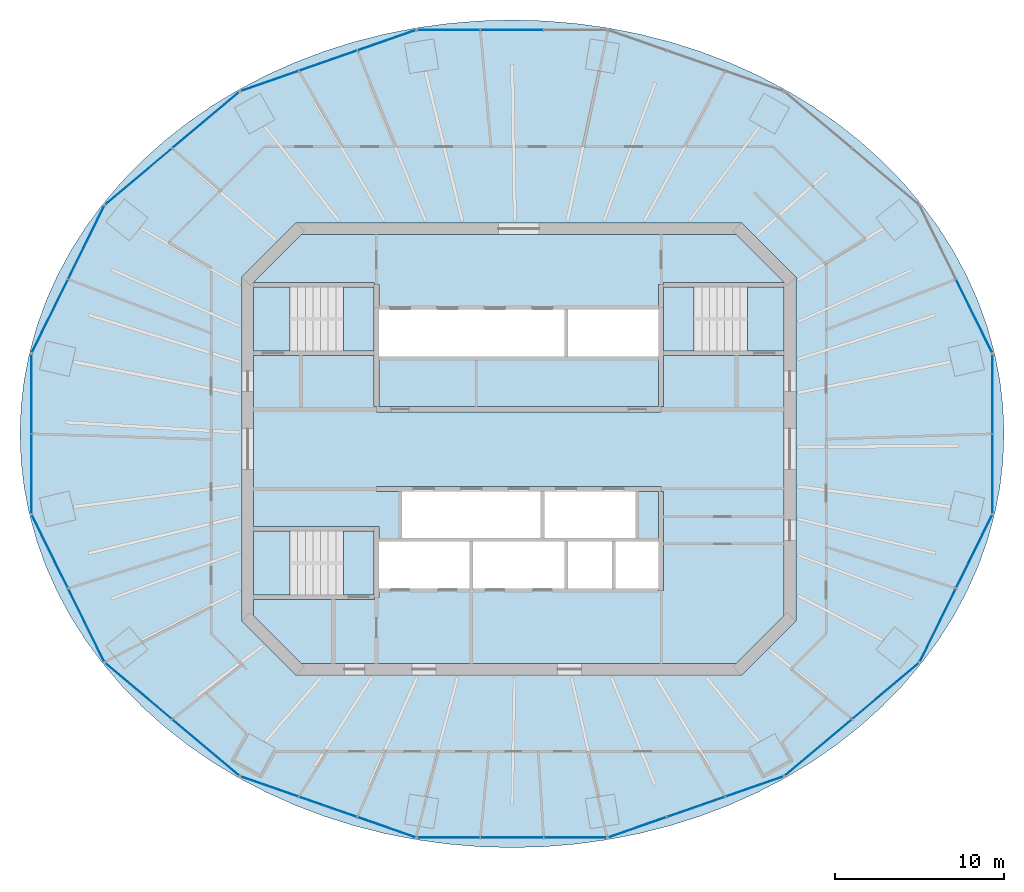
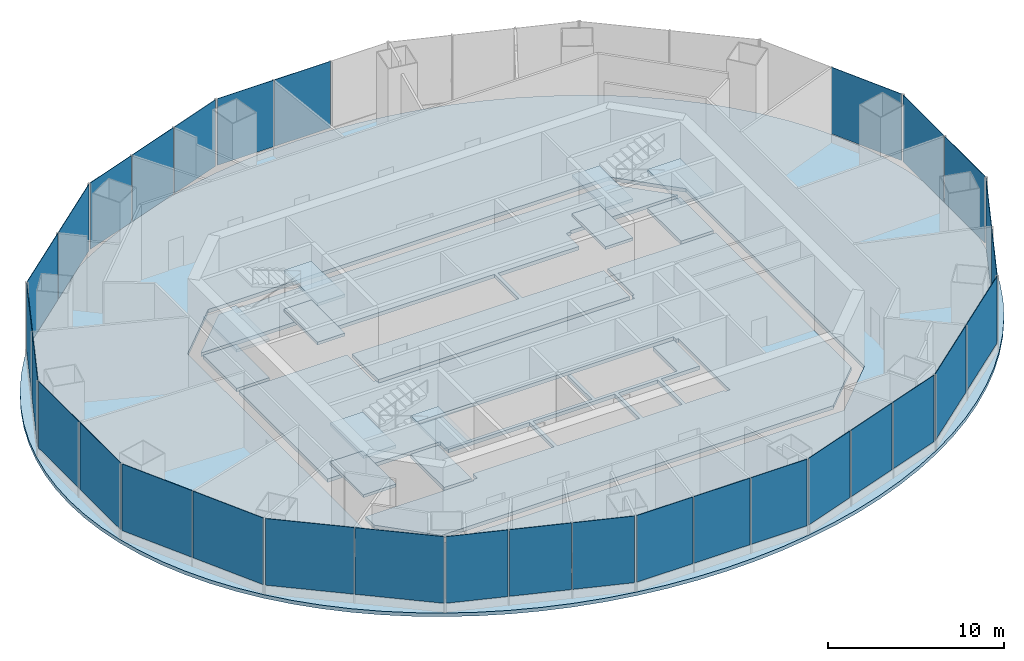
# One storey, part 7 of 12: 31 plates, 15 slabs, 17 elements without a shape of their own.
"""IFC4 building model written with IfcOpenShell, lengths in metres."""

from ifc_helpers import new_model, si_unit, direction, frame, origin, origin_2d, place, context, subcontext, project, spatial, polyline, rectangle, outline, extrude, material, layer, layer_set, type_object, element, aggregate, save


model = new_model("IFC4")

# Units and contexts
model_context = context("Model", 3, precision=1e-05, world=origin(), true_north=direction((0.0, 1.0)))
body_context = subcontext(model_context, "Body", "Model", "MODEL_VIEW")
ifc_project = project(units=[si_unit("LENGTHUNIT", "METRE"), si_unit("AREAUNIT", "SQUARE_METRE"), si_unit("VOLUMEUNIT", "CUBIC_METRE"), si_unit("PLANEANGLEUNIT", "RADIAN"), si_unit("MASSUNIT", "GRAM", prefix="KILO")], contexts=[model_context])

# Site, building, storey
site_placement = place(None, origin())
site = spatial("IfcSite", under=ifc_project, at=site_placement, CompositionType="ELEMENT")
building_placement = place(site_placement, origin())
building = spatial("IfcBuilding", under=site, at=building_placement, Name="Marenthal Gate Tower", CompositionType="ELEMENT")
storey_placement = place(building_placement, frame((0.0, 0.0, 279.10009765625)))
storey = spatial("IfcBuildingStorey", under=building, at=storey_placement, Name="L62", CompositionType="ELEMENT", Elevation=279.10009765625)

# Slabs
ifc_material_1 = material(Name="Concrete 50 MPa", Category="concrete")
ifc_layer_1 = layer(ifc_material_1, 0.25)
ifc_layer_set_1 = layer_set([ifc_layer_1], Name="Core floor slab 250")
slab_type_1 = type_object("IfcSlabType", Name="Core floor slab 250", PredefinedType="FLOOR", material=ifc_layer_set_1)
slab_1_placement = place(storey_placement, frame((0.0, 0.0, -0.25)))
element("IfcSlab", 1, at=slab_1_placement, inside=storey, type_object=slab_type_1, Name="Core floor L62", PredefinedType="FLOOR", context=body_context, shape_type="SweptSolid", body=[
    extrude(outline(polyline([(12.85498046875, -12.64990234375), (-12.85498046875, -12.64990234375), (-15.64990234375, -9.85498046875), (-15.64990234375, -8.875), (-8.550048828125, -8.875), (-8.550048828125, -8.75), (-8.25, -8.75), (-8.25, -8.239990234375), (-5.60009765625, -8.239990234375), (-2.909912109375, -8.239990234375), (-2.909912109375, -5.4599609375), (-5.60009765625, -5.4599609375), (-8.25, -5.4599609375), (-8.25, -4.574951171875), (-8.550048828125, -4.574951171875), (-15.64990234375, -4.574951171875), (-15.64990234375, 5.52490234375), (-8.550048828125, 5.52490234375), (-8.550048828125, 2.5), (-8.39990234375, 2.5), (-8.39990234375, 2.199951171875), (8.39990234375, 2.199951171875), (8.39990234375, 2.5), (8.550048828125, 2.5), (8.550048828125, 5.52490234375), (15.64990234375, 5.52490234375), (15.64990234375, -9.85498046875), (12.85498046875, -12.64990234375)]), holes=[polyline([(2.68994140625, -8.239990234375), (2.68994140625, -5.4599609375), (0.0, -5.4599609375), (-2.68994140625, -5.4599609375), (-2.68994140625, -8.239990234375), (0.0, -8.239990234375), (2.68994140625, -8.239990234375)]), polyline([(1.2900390625, -2.5), (1.510009765625, -2.5), (1.510009765625, -5.239990234375), (4.199951171875, -5.239990234375), (6.889892578125, -5.239990234375), (6.889892578125, -2.5), (8.25, -2.5), (8.25, -5.4599609375), (5.7099609375, -5.4599609375), (5.7099609375, -8.239990234375), (8.25, -8.239990234375), (8.25, -8.35009765625), (8.550048828125, -8.35009765625), (8.550048828125, -2.5), (8.39990234375, -2.5), (8.39990234375, -2.199951171875), (-8.39990234375, -2.199951171875), (-8.39990234375, -2.5), (-6.889892578125, -2.5), (-6.889892578125, -5.239990234375), (-4.199951171875, -5.239990234375), (-1.39990234375, -5.239990234375), (1.2900390625, -5.239990234375), (1.2900390625, -2.5)]), polyline([(5.489990234375, -5.4599609375), (2.909912109375, -5.4599609375), (2.909912109375, -8.239990234375), (5.489990234375, -8.239990234375), (5.489990234375, -5.4599609375)])]), origin(), (0.0, 0.0, 1.0), 0.25),
])
slab_2_placement = place(storey_placement, frame((0.0, 0.0, -0.25)))
element("IfcSlab", 2, at=slab_2_placement, inside=storey, type_object=slab_type_1, Name="Core floor L62", PredefinedType="FLOOR", context=body_context, shape_type="SweptSolid", body=[
    extrude(outline(polyline([(15.64990234375, 5.77490234375), (13.5, 5.77490234375), (13.5, 9.574951171875), (15.64990234375, 9.574951171875), (15.64990234375, 5.77490234375)])), origin(), (0.0, 0.0, 1.0), 0.25),
])
slab_3_placement = place(storey_placement, frame((0.0, 0.0, -0.25)))
element("IfcSlab", 3, at=slab_3_placement, inside=storey, type_object=slab_type_1, Name="Core floor L62", PredefinedType="FLOOR", context=body_context, shape_type="SweptSolid", body=[
    extrude(outline(polyline([(15.64990234375, 9.824951171875), (8.550048828125, 9.824951171875), (8.550048828125, 9.699951171875), (8.25, 9.699951171875), (8.25, 8.35009765625), (8.25, 8.239990234375), (5.60009765625, 8.239990234375), (2.909912109375, 8.239990234375), (2.909912109375, 5.4599609375), (5.60009765625, 5.4599609375), (8.25, 5.4599609375), (8.25, 2.5), (-8.25, 2.5), (-8.25, 5.4599609375), (-5.60009765625, 5.4599609375), (-2.800048828125, 5.4599609375), (0.0, 5.4599609375), (2.68994140625, 5.4599609375), (2.68994140625, 8.239990234375), (0.0, 8.239990234375), (-2.800048828125, 8.239990234375), (-5.60009765625, 8.239990234375), (-8.25, 8.239990234375), (-8.25, 8.35009765625), (-8.25, 9.699951171875), (-8.550048828125, 9.699951171875), (-8.550048828125, 9.824951171875), (-15.64990234375, 9.824951171875), (-15.64990234375, 9.85498046875), (-12.85498046875, 12.64990234375), (12.85498046875, 12.64990234375), (15.64990234375, 9.85498046875), (15.64990234375, 9.824951171875)])), origin(), (0.0, 0.0, 1.0), 0.25),
])
slab_4_placement = place(storey_placement, frame((0.0, 0.0, -0.25)))
element("IfcSlab", 4, at=slab_4_placement, inside=storey, type_object=slab_type_1, Name="Core floor L62", PredefinedType="FLOOR", context=body_context, shape_type="SweptSolid", body=[
    extrude(outline(polyline([(-15.64990234375, 9.574951171875), (-13.5, 9.574951171875), (-13.5, 5.77490234375), (-15.64990234375, 5.77490234375), (-15.64990234375, 9.574951171875)])), origin(), (0.0, 0.0, 1.0), 0.25),
])
slab_5_placement = place(storey_placement, frame((0.0, 0.0, -0.25)))
element("IfcSlab", 5, at=slab_5_placement, inside=storey, type_object=slab_type_1, Name="Core floor L62", PredefinedType="FLOOR", context=body_context, shape_type="SweptSolid", body=[
    extrude(outline(polyline([(-8.550048828125, -8.625), (-10.35009765625, -8.625), (-10.35009765625, -4.824951171875), (-8.550048828125, -4.824951171875), (-8.550048828125, -8.625)])), origin(), (0.0, 0.0, 1.0), 0.25),
])

# Curtain wall, plate
ifc_material_2 = material(Name="Aluminium and glass", Category="aluminium")
curtain_wall_type = type_object("IfcCurtainWallType", Name="Curtain wall sky lobby", PredefinedType="NOTDEFINED", material=ifc_material_2)
curtain_wall_1_placement = place(storey_placement, origin())
curtain_wall_1 = element("IfcCurtainWall", 6, at=curtain_wall_1_placement, inside=storey, type_object=curtain_wall_type, Name="Curtain wall L62 bay 1", PredefinedType="NOTDEFINED")
ifc_material_3 = material(Name="Glass, laminated insulating unit", Category="glass")
ifc_layer_2 = layer(ifc_material_3, 0.033935546875)
ifc_layer_set_2 = layer_set([ifc_layer_2], Name="Glass panel 34 sky lobby")
plate_type = type_object("IfcPlateType", Name="Glass panel 34 sky lobby", PredefinedType="CURTAIN_PANEL", material=ifc_layer_set_2)
plate_1_placement = place(storey_placement, frame((26.876220703125, 7.844970703125, 0.599853515625), z_axis=(0.0, 0.0, 1.0), x_axis=(-0.442091093871, 0.89697015821, 0.0)))
plate_1 = element("IfcPlate", 7, at=plate_1_placement, type_object=plate_type, Name="Glass panel L62 bay 1.1", PredefinedType="CURTAIN_PANEL", context=body_context, shape_type="SweptSolid", body=[
    extrude(rectangle(XDim=4.783447265625, YDim=0.033935546875, at=origin_2d()), origin(), (0.0, 0.0, 1.0), 4.6201171875),
])
aggregate(curtain_wall_1, [plate_1])

# Curtain wall, plates
curtain_wall_2_placement = place(storey_placement, origin())
curtain_wall_2 = element("IfcCurtainWall", 8, at=curtain_wall_2_placement, inside=storey, type_object=curtain_wall_type, Name="Curtain wall L62 bay 4", PredefinedType="NOTDEFINED")
plate_2_placement = place(storey_placement, frame((-0.39990234375, 24.736083984375, 0.599853515625), z_axis=(0.0, 0.0, 1.0), x_axis=(-1.0, 0.0, 0.0)))
plate_2 = element("IfcPlate", 9, at=plate_2_placement, type_object=plate_type, Name="Glass panel L62 bay 4.2", PredefinedType="CURTAIN_PANEL", context=body_context, shape_type="SweptSolid", body=[
    extrude(rectangle(XDim=3.6708984375, YDim=0.033935546875, at=origin_2d()), origin(), (0.0, 0.0, 1.0), 4.6201171875),
])
plate_3_placement = place(storey_placement, frame((-4.14111328125, 24.736083984375, 0.599853515625), z_axis=(0.0, 0.0, 1.0), x_axis=(-1.0, 0.0, 0.0)))
plate_3 = element("IfcPlate", 10, at=plate_3_placement, type_object=plate_type, Name="Glass panel L62 bay 4.3", PredefinedType="CURTAIN_PANEL", context=body_context, shape_type="SweptSolid", body=[
    extrude(rectangle(XDim=3.671142578125, YDim=0.033935546875, at=origin_2d()), origin(), (0.0, 0.0, 1.0), 4.6201171875),
])
aggregate(curtain_wall_2, [plate_2, plate_3])

curtain_wall_3_placement = place(storey_placement, origin())
curtain_wall_3 = element("IfcCurtainWall", 11, at=curtain_wall_3_placement, inside=storey, type_object=curtain_wall_type, Name="Curtain wall L62 bay 5", PredefinedType="NOTDEFINED")
plate_4_placement = place(storey_placement, frame((-7.7978515625, 24.12451171875, 0.599853515625), z_axis=(0.0, 0.0, 1.0), x_axis=(-0.944414634469, -0.328756746245, 0.0)))
plate_4 = element("IfcPlate", 12, at=plate_4_placement, type_object=plate_type, Name="Glass panel L62 bay 5.1", PredefinedType="CURTAIN_PANEL", context=body_context, shape_type="SweptSolid", body=[
    extrude(rectangle(XDim=3.58935546875, YDim=0.033935546875, at=origin_2d()), origin(), (0.0, 0.0, 1.0), 4.6201171875),
])
plate_5_placement = place(storey_placement, frame((-11.253662109375, 22.921630859375, 0.599853515625), z_axis=(0.0, 0.0, 1.0), x_axis=(-0.944414634469, -0.328756746245, 0.0)))
plate_5 = element("IfcPlate", 13, at=plate_5_placement, type_object=plate_type, Name="Glass panel L62 bay 5.2", PredefinedType="CURTAIN_PANEL", context=body_context, shape_type="SweptSolid", body=[
    extrude(rectangle(XDim=3.58935546875, YDim=0.033935546875, at=origin_2d()), origin(), (0.0, 0.0, 1.0), 4.6201171875),
])
plate_6_placement = place(storey_placement, frame((-14.709716796875, 21.718505859375, 0.599853515625), z_axis=(0.0, 0.0, 1.0), x_axis=(-0.944414634469, -0.328756746245, 0.0)))
plate_6 = element("IfcPlate", 14, at=plate_6_placement, type_object=plate_type, Name="Glass panel L62 bay 5.3", PredefinedType="CURTAIN_PANEL", context=body_context, shape_type="SweptSolid", body=[
    extrude(rectangle(XDim=3.58935546875, YDim=0.033935546875, at=origin_2d()), origin(), (0.0, 0.0, 1.0), 4.6201171875),
])
aggregate(curtain_wall_3, [plate_4, plate_5, plate_6])

curtain_wall_4_placement = place(storey_placement, origin())
curtain_wall_4 = element("IfcCurtainWall", 15, at=curtain_wall_4_placement, inside=storey, type_object=curtain_wall_type, Name="Curtain wall L62 bay 6", PredefinedType="NOTDEFINED")
plate_7_placement = place(storey_placement, frame((-18.47216796875, 19.421142578125, 0.599853515625), z_axis=(0.0, 0.0, 1.0), x_axis=(-0.76554681722, -0.643380191367, 0.0)))
plate_7 = element("IfcPlate", 16, at=plate_7_placement, type_object=plate_type, Name="Glass panel L62 bay 6.1", PredefinedType="CURTAIN_PANEL", context=body_context, shape_type="SweptSolid", body=[
    extrude(rectangle(XDim=5.11083984375, YDim=0.033935546875, at=origin_2d()), origin(), (0.0, 0.0, 1.0), 4.6201171875),
])
plate_8_placement = place(storey_placement, frame((-22.438232421875, 16.087890625, 0.599853515625), z_axis=(0.0, 0.0, 1.0), x_axis=(-0.76554681722, -0.643380191367, 0.0)))
plate_8 = element("IfcPlate", 17, at=plate_8_placement, type_object=plate_type, Name="Glass panel L62 bay 6.2", PredefinedType="CURTAIN_PANEL", context=body_context, shape_type="SweptSolid", body=[
    extrude(rectangle(XDim=5.11083984375, YDim=0.033935546875, at=origin_2d()), origin(), (0.0, 0.0, 1.0), 4.6201171875),
])
aggregate(curtain_wall_4, [plate_7, plate_8])

curtain_wall_5_placement = place(storey_placement, origin())
curtain_wall_5 = element("IfcCurtainWall", 18, at=curtain_wall_5_placement, inside=storey, type_object=curtain_wall_type, Name="Curtain wall L62 bay 7", PredefinedType="NOTDEFINED")
plate_9_placement = place(storey_placement, frame((-25.530517578125, 12.198486328125, 0.599853515625), z_axis=(0.0, 0.0, 1.0), x_axis=(-0.442091093871, -0.89697015821, 0.0)))
plate_9 = element("IfcPlate", 19, at=plate_9_placement, type_object=plate_type, Name="Glass panel L62 bay 7.1", PredefinedType="CURTAIN_PANEL", context=body_context, shape_type="SweptSolid", body=[
    extrude(rectangle(XDim=4.783447265625, YDim=0.033935546875, at=origin_2d()), origin(), (0.0, 0.0, 1.0), 4.6201171875),
])
plate_10_placement = place(storey_placement, frame((-27.67626953125, 7.844970703125, 0.599853515625), z_axis=(0.0, 0.0, 1.0), x_axis=(-0.442091093871, -0.89697015821, 0.0)))
plate_10 = element("IfcPlate", 20, at=plate_10_placement, type_object=plate_type, Name="Glass panel L62 bay 7.2", PredefinedType="CURTAIN_PANEL", context=body_context, shape_type="SweptSolid", body=[
    extrude(rectangle(XDim=4.783447265625, YDim=0.033935546875, at=origin_2d()), origin(), (0.0, 0.0, 1.0), 4.6201171875),
])
aggregate(curtain_wall_5, [plate_9, plate_10])

curtain_wall_6_placement = place(storey_placement, origin())
curtain_wall_6 = element("IfcCurtainWall", 21, at=curtain_wall_6_placement, inside=storey, type_object=curtain_wall_type, Name="Curtain wall L62 bay 8", PredefinedType="NOTDEFINED")
plate_11_placement = place(storey_placement, frame((-28.76220703125, 3.255615234375, 0.599853515625), z_axis=(0.0, 0.0, 1.0), x_axis=(0.0, -1.0, 0.0)))
plate_11 = element("IfcPlate", 22, at=plate_11_placement, type_object=plate_type, Name="Glass panel L62 bay 8.1", PredefinedType="CURTAIN_PANEL", context=body_context, shape_type="SweptSolid", body=[
    extrude(rectangle(XDim=4.641357421875, YDim=0.033935546875, at=origin_2d()), origin(), (0.0, 0.0, 1.0), 4.6201171875),
])
plate_12_placement = place(storey_placement, frame((-28.76220703125, -1.45556640625, 0.599853515625), z_axis=(0.0, 0.0, 1.0), x_axis=(0.0, -1.0, 0.0)))
plate_12 = element("IfcPlate", 23, at=plate_12_placement, type_object=plate_type, Name="Glass panel L62 bay 8.2", PredefinedType="CURTAIN_PANEL", context=body_context, shape_type="SweptSolid", body=[
    extrude(rectangle(XDim=4.641357421875, YDim=0.033935546875, at=origin_2d()), origin(), (0.0, 0.0, 1.0), 4.6201171875),
])
aggregate(curtain_wall_6, [plate_11, plate_12])

curtain_wall_7_placement = place(storey_placement, origin())
curtain_wall_7 = element("IfcCurtainWall", 24, at=curtain_wall_7_placement, inside=storey, type_object=curtain_wall_type, Name="Curtain wall L62 bay 9", PredefinedType="NOTDEFINED")
plate_13_placement = place(storey_placement, frame((-27.67626953125, -6.044921875, 0.599853515625), z_axis=(0.0, 0.0, 1.0), x_axis=(0.442091093871, -0.89697015821, 0.0)))
plate_13 = element("IfcPlate", 25, at=plate_13_placement, type_object=plate_type, Name="Glass panel L62 bay 9.1", PredefinedType="CURTAIN_PANEL", context=body_context, shape_type="SweptSolid", body=[
    extrude(rectangle(XDim=4.783447265625, YDim=0.033935546875, at=origin_2d()), origin(), (0.0, 0.0, 1.0), 4.6201171875),
])
plate_14_placement = place(storey_placement, frame((-25.530517578125, -10.3984375, 0.599853515625), z_axis=(0.0, 0.0, 1.0), x_axis=(0.442091093871, -0.89697015821, 0.0)))
plate_14 = element("IfcPlate", 26, at=plate_14_placement, type_object=plate_type, Name="Glass panel L62 bay 9.2", PredefinedType="CURTAIN_PANEL", context=body_context, shape_type="SweptSolid", body=[
    extrude(rectangle(XDim=4.783447265625, YDim=0.033935546875, at=origin_2d()), origin(), (0.0, 0.0, 1.0), 4.6201171875),
])
aggregate(curtain_wall_7, [plate_13, plate_14])

curtain_wall_8_placement = place(storey_placement, origin())
curtain_wall_8 = element("IfcCurtainWall", 27, at=curtain_wall_8_placement, inside=storey, type_object=curtain_wall_type, Name="Curtain wall L62 bay 10", PredefinedType="NOTDEFINED")
plate_15_placement = place(storey_placement, frame((-22.438232421875, -14.287841796875, 0.599853515625), z_axis=(0.0, 0.0, 1.0), x_axis=(0.76554681722, -0.643380191367, 0.0)))
plate_15 = element("IfcPlate", 28, at=plate_15_placement, type_object=plate_type, Name="Glass panel L62 bay 10.1", PredefinedType="CURTAIN_PANEL", context=body_context, shape_type="SweptSolid", body=[
    extrude(rectangle(XDim=5.11083984375, YDim=0.033935546875, at=origin_2d()), origin(), (0.0, 0.0, 1.0), 4.6201171875),
])
plate_16_placement = place(storey_placement, frame((-18.47216796875, -17.621337890625, 0.599853515625), z_axis=(0.0, 0.0, 1.0), x_axis=(0.76554681722, -0.643380191367, 0.0)))
plate_16 = element("IfcPlate", 29, at=plate_16_placement, type_object=plate_type, Name="Glass panel L62 bay 10.2", PredefinedType="CURTAIN_PANEL", context=body_context, shape_type="SweptSolid", body=[
    extrude(rectangle(XDim=5.11083984375, YDim=0.033935546875, at=origin_2d()), origin(), (0.0, 0.0, 1.0), 4.6201171875),
])
aggregate(curtain_wall_8, [plate_15, plate_16])

curtain_wall_9_placement = place(storey_placement, origin())
curtain_wall_9 = element("IfcCurtainWall", 30, at=curtain_wall_9_placement, inside=storey, type_object=curtain_wall_type, Name="Curtain wall L62 bay 11", PredefinedType="NOTDEFINED")
plate_17_placement = place(storey_placement, frame((-14.709716796875, -19.91845703125, 0.599853515625), z_axis=(0.0, 0.0, 1.0), x_axis=(0.944414634469, -0.328756746245, 0.0)))
plate_17 = element("IfcPlate", 31, at=plate_17_placement, type_object=plate_type, Name="Glass panel L62 bay 11.1", PredefinedType="CURTAIN_PANEL", context=body_context, shape_type="SweptSolid", body=[
    extrude(rectangle(XDim=3.58935546875, YDim=0.033935546875, at=origin_2d()), origin(), (0.0, 0.0, 1.0), 4.6201171875),
])
plate_18_placement = place(storey_placement, frame((-11.25390625, -21.12158203125, 0.599853515625), z_axis=(0.0, 0.0, 1.0), x_axis=(0.944414634469, -0.328756746245, 0.0)))
plate_18 = element("IfcPlate", 32, at=plate_18_placement, type_object=plate_type, Name="Glass panel L62 bay 11.2", PredefinedType="CURTAIN_PANEL", context=body_context, shape_type="SweptSolid", body=[
    extrude(rectangle(XDim=3.58935546875, YDim=0.033935546875, at=origin_2d()), origin(), (0.0, 0.0, 1.0), 4.6201171875),
])
plate_19_placement = place(storey_placement, frame((-7.7978515625, -22.32470703125, 0.599853515625), z_axis=(0.0, 0.0, 1.0), x_axis=(0.944414634469, -0.328756746245, 0.0)))
plate_19 = element("IfcPlate", 33, at=plate_19_placement, type_object=plate_type, Name="Glass panel L62 bay 11.3", PredefinedType="CURTAIN_PANEL", context=body_context, shape_type="SweptSolid", body=[
    extrude(rectangle(XDim=3.58935546875, YDim=0.033935546875, at=origin_2d()), origin(), (0.0, 0.0, 1.0), 4.6201171875),
])
aggregate(curtain_wall_9, [plate_17, plate_18, plate_19])

curtain_wall_10_placement = place(storey_placement, origin())
curtain_wall_10 = element("IfcCurtainWall", 34, at=curtain_wall_10_placement, inside=storey, type_object=curtain_wall_type, Name="Curtain wall L62 bay 12", PredefinedType="NOTDEFINED")
plate_20_placement = place(storey_placement, frame((-4.14111328125, -22.93603515625, 0.599853515625), z_axis=(0.0, 0.0, 1.0), x_axis=(1.0, 0.0, 0.0)))
plate_20 = element("IfcPlate", 35, at=plate_20_placement, type_object=plate_type, Name="Glass panel L62 bay 12.1", PredefinedType="CURTAIN_PANEL", context=body_context, shape_type="SweptSolid", body=[
    extrude(rectangle(XDim=3.671142578125, YDim=0.033935546875, at=origin_2d()), origin(), (0.0, 0.0, 1.0), 4.6201171875),
])
plate_21_placement = place(storey_placement, frame((-0.39990234375, -22.93603515625, 0.599853515625), z_axis=(0.0, 0.0, 1.0), x_axis=(1.0, 0.0, 0.0)))
plate_21 = element("IfcPlate", 36, at=plate_21_placement, type_object=plate_type, Name="Glass panel L62 bay 12.2", PredefinedType="CURTAIN_PANEL", context=body_context, shape_type="SweptSolid", body=[
    extrude(rectangle(XDim=3.6708984375, YDim=0.033935546875, at=origin_2d()), origin(), (0.0, 0.0, 1.0), 4.6201171875),
])
plate_22_placement = place(storey_placement, frame((3.341064453125, -22.93603515625, 0.599853515625), z_axis=(0.0, 0.0, 1.0), x_axis=(1.0, 0.0, 0.0)))
plate_22 = element("IfcPlate", 37, at=plate_22_placement, type_object=plate_type, Name="Glass panel L62 bay 12.3", PredefinedType="CURTAIN_PANEL", context=body_context, shape_type="SweptSolid", body=[
    extrude(rectangle(XDim=3.671142578125, YDim=0.033935546875, at=origin_2d()), origin(), (0.0, 0.0, 1.0), 4.6201171875),
])
aggregate(curtain_wall_10, [plate_20, plate_21, plate_22])

curtain_wall_11_placement = place(storey_placement, origin())
curtain_wall_11 = element("IfcCurtainWall", 38, at=curtain_wall_11_placement, inside=storey, type_object=curtain_wall_type, Name="Curtain wall L62 bay 13", PredefinedType="NOTDEFINED")
plate_23_placement = place(storey_placement, frame((6.997802734375, -22.32470703125, 0.599853515625), z_axis=(0.0, 0.0, 1.0), x_axis=(0.944414634469, 0.328756746245, 0.0)))
plate_23 = element("IfcPlate", 39, at=plate_23_placement, type_object=plate_type, Name="Glass panel L62 bay 13.1", PredefinedType="CURTAIN_PANEL", context=body_context, shape_type="SweptSolid", body=[
    extrude(rectangle(XDim=3.58935546875, YDim=0.033935546875, at=origin_2d()), origin(), (0.0, 0.0, 1.0), 4.6201171875),
])
plate_24_placement = place(storey_placement, frame((10.453857421875, -21.12158203125, 0.599853515625), z_axis=(0.0, 0.0, 1.0), x_axis=(0.944414634469, 0.328756746245, 0.0)))
plate_24 = element("IfcPlate", 40, at=plate_24_placement, type_object=plate_type, Name="Glass panel L62 bay 13.2", PredefinedType="CURTAIN_PANEL", context=body_context, shape_type="SweptSolid", body=[
    extrude(rectangle(XDim=3.58935546875, YDim=0.033935546875, at=origin_2d()), origin(), (0.0, 0.0, 1.0), 4.6201171875),
])
plate_25_placement = place(storey_placement, frame((13.90966796875, -19.918701171875, 0.599853515625), z_axis=(0.0, 0.0, 1.0), x_axis=(0.944414634469, 0.328756746245, 0.0)))
plate_25 = element("IfcPlate", 41, at=plate_25_placement, type_object=plate_type, Name="Glass panel L62 bay 13.3", PredefinedType="CURTAIN_PANEL", context=body_context, shape_type="SweptSolid", body=[
    extrude(rectangle(XDim=3.58935546875, YDim=0.033935546875, at=origin_2d()), origin(), (0.0, 0.0, 1.0), 4.6201171875),
])
aggregate(curtain_wall_11, [plate_23, plate_24, plate_25])

curtain_wall_12_placement = place(storey_placement, origin())
curtain_wall_12 = element("IfcCurtainWall", 42, at=curtain_wall_12_placement, inside=storey, type_object=curtain_wall_type, Name="Curtain wall L62 bay 14", PredefinedType="NOTDEFINED")
plate_26_placement = place(storey_placement, frame((17.672119140625, -17.621337890625, 0.599853515625), z_axis=(0.0, 0.0, 1.0), x_axis=(0.76554681722, 0.643380191367, 0.0)))
plate_26 = element("IfcPlate", 43, at=plate_26_placement, type_object=plate_type, Name="Glass panel L62 bay 14.1", PredefinedType="CURTAIN_PANEL", context=body_context, shape_type="SweptSolid", body=[
    extrude(rectangle(XDim=5.11083984375, YDim=0.033935546875, at=origin_2d()), origin(), (0.0, 0.0, 1.0), 4.6201171875),
])
plate_27_placement = place(storey_placement, frame((21.63818359375, -14.2880859375, 0.599853515625), z_axis=(0.0, 0.0, 1.0), x_axis=(0.76554681722, 0.643380191367, 0.0)))
plate_27 = element("IfcPlate", 44, at=plate_27_placement, type_object=plate_type, Name="Glass panel L62 bay 14.2", PredefinedType="CURTAIN_PANEL", context=body_context, shape_type="SweptSolid", body=[
    extrude(rectangle(XDim=5.11083984375, YDim=0.033935546875, at=origin_2d()), origin(), (0.0, 0.0, 1.0), 4.6201171875),
])
aggregate(curtain_wall_12, [plate_26, plate_27])

curtain_wall_13_placement = place(storey_placement, origin())
curtain_wall_13 = element("IfcCurtainWall", 45, at=curtain_wall_13_placement, inside=storey, type_object=curtain_wall_type, Name="Curtain wall L62 bay 15", PredefinedType="NOTDEFINED")
plate_28_placement = place(storey_placement, frame((24.73046875, -10.3984375, 0.599853515625), z_axis=(0.0, 0.0, 1.0), x_axis=(0.442091093871, 0.89697015821, 0.0)))
plate_28 = element("IfcPlate", 46, at=plate_28_placement, type_object=plate_type, Name="Glass panel L62 bay 15.1", PredefinedType="CURTAIN_PANEL", context=body_context, shape_type="SweptSolid", body=[
    extrude(rectangle(XDim=4.783447265625, YDim=0.033935546875, at=origin_2d()), origin(), (0.0, 0.0, 1.0), 4.6201171875),
])
plate_29_placement = place(storey_placement, frame((26.876220703125, -6.044921875, 0.599853515625), z_axis=(0.0, 0.0, 1.0), x_axis=(0.442091093871, 0.89697015821, 0.0)))
plate_29 = element("IfcPlate", 47, at=plate_29_placement, type_object=plate_type, Name="Glass panel L62 bay 15.2", PredefinedType="CURTAIN_PANEL", context=body_context, shape_type="SweptSolid", body=[
    extrude(rectangle(XDim=4.783447265625, YDim=0.033935546875, at=origin_2d()), origin(), (0.0, 0.0, 1.0), 4.6201171875),
])
aggregate(curtain_wall_13, [plate_28, plate_29])

curtain_wall_14_placement = place(storey_placement, origin())
curtain_wall_14 = element("IfcCurtainWall", 48, at=curtain_wall_14_placement, inside=storey, type_object=curtain_wall_type, Name="Curtain wall L62 bay 16", PredefinedType="NOTDEFINED")
plate_30_placement = place(storey_placement, frame((27.96240234375, -1.45556640625, 0.599853515625), z_axis=(0.0, 0.0, 1.0), x_axis=(0.0, 1.0, 0.0)))
plate_30 = element("IfcPlate", 49, at=plate_30_placement, type_object=plate_type, Name="Glass panel L62 bay 16.1", PredefinedType="CURTAIN_PANEL", context=body_context, shape_type="SweptSolid", body=[
    extrude(rectangle(XDim=4.641357421875, YDim=0.033935546875, at=origin_2d()), origin(), (0.0, 0.0, 1.0), 4.6201171875),
])
plate_31_placement = place(storey_placement, frame((27.96240234375, 3.255615234375, 0.599853515625), z_axis=(0.0, 0.0, 1.0), x_axis=(0.0, 1.0, 0.0)))
plate_31 = element("IfcPlate", 50, at=plate_31_placement, type_object=plate_type, Name="Glass panel L62 bay 16.2", PredefinedType="CURTAIN_PANEL", context=body_context, shape_type="SweptSolid", body=[
    extrude(rectangle(XDim=4.641357421875, YDim=0.033935546875, at=origin_2d()), origin(), (0.0, 0.0, 1.0), 4.6201171875),
])
aggregate(curtain_wall_14, [plate_30, plate_31])

# Slab
ifc_material_4 = material(Name="Concrete 35 MPa", Category="concrete")
ifc_layer_3 = layer(ifc_material_4, 0.25)
ifc_layer_set_3 = layer_set([ifc_layer_3], Name="Sky lobby floor slab 250")
slab_type_2 = type_object("IfcSlabType", Name="Sky lobby floor slab 250", PredefinedType="FLOOR", material=ifc_layer_set_3)
slab_6_placement = place(storey_placement, frame((0.0, 0.0, -0.25)))
element("IfcSlab", 51, at=slab_6_placement, inside=storey, type_object=slab_type_2, Name="SL-L62-01", PredefinedType="FLOOR", context=body_context, shape_type="SweptSolid", body=[
    extrude(outline(polyline([(28.637939453125, 0.89990234375), (28.57568359375, 2.497314453125), (28.3896484375, 4.087890625), (28.080078125, 5.664794921875), (27.648681640625, 7.22119140625), (27.096923828125, 8.75048828125), (26.427490234375, 10.246337890625), (25.643310546875, 11.701904296875), (24.74755859375, 13.111572265625), (23.744140625, 14.46875), (22.637451171875, 15.767822265625), (21.431884765625, 17.003173828125), (20.133056640625, 18.169677734375), (18.74609375, 19.26220703125), (17.277099609375, 20.276123046875), (15.732666015625, 21.20703125), (14.118896484375, 22.05078125), (12.443115234375, 22.80419921875), (10.71240234375, 23.4638671875), (8.93408203125, 24.02685546875), (7.115478515625, 24.49072265625), (5.264892578125, 24.853759765625), (3.39013671875, 25.114013671875), (1.499267578125, 25.270751953125), (-0.39990234375, 25.322998046875), (-2.29931640625, 25.270751953125), (-4.190185546875, 25.114013671875), (-6.06494140625, 24.853759765625), (-7.91552734375, 24.49072265625), (-9.73388671875, 24.02685546875), (-11.512451171875, 23.4638671875), (-13.2431640625, 22.80419921875), (-14.9189453125, 22.05078125), (-16.53271484375, 21.20703125), (-18.0771484375, 20.276123046875), (-19.546142578125, 19.26220703125), (-20.93310546875, 18.169677734375), (-22.23193359375, 17.003173828125), (-23.4375, 15.767822265625), (-24.544189453125, 14.46875), (-25.547607421875, 13.111572265625), (-26.443359375, 11.701904296875), (-27.2275390625, 10.246337890625), (-27.89697265625, 8.75048828125), (-28.448486328125, 7.22119140625), (-28.8798828125, 5.664794921875), (-29.189697265625, 4.087890625), (-29.375732421875, 2.497314453125), (-29.43798828125, 0.89990234375), (-29.375732421875, -0.697265625), (-29.189697265625, -2.287841796875), (-28.8798828125, -3.86474609375), (-28.448486328125, -5.421142578125), (-27.89697265625, -6.950439453125), (-27.2275390625, -8.4462890625), (-26.443359375, -9.902099609375), (-25.547607421875, -11.3115234375), (-24.544189453125, -12.668701171875), (-23.4375, -13.9677734375), (-22.23193359375, -15.203125), (-20.93310546875, -16.36962890625), (-19.546142578125, -17.462158203125), (-18.0771484375, -18.47607421875), (-16.53271484375, -19.406982421875), (-14.9189453125, -20.2509765625), (-13.2431640625, -21.00439453125), (-11.512451171875, -21.663818359375), (-9.73388671875, -22.226806640625), (-7.91552734375, -22.69091796875), (-6.06494140625, -23.0537109375), (-4.190185546875, -23.314208984375), (-2.29931640625, -23.470703125), (-0.39990234375, -23.52294921875), (1.499267578125, -23.470703125), (3.39013671875, -23.314208984375), (5.264892578125, -23.0537109375), (7.115478515625, -22.69091796875), (8.93408203125, -22.226806640625), (10.71240234375, -21.663818359375), (12.443115234375, -21.00439453125), (14.118896484375, -20.2509765625), (15.732666015625, -19.406982421875), (17.277099609375, -18.47607421875), (18.74609375, -17.462158203125), (20.133056640625, -16.36962890625), (21.431884765625, -15.203125), (22.637451171875, -13.9677734375), (23.744140625, -12.668701171875), (24.74755859375, -11.3115234375), (25.643310546875, -9.902099609375), (26.427490234375, -8.4462890625), (27.096923828125, -6.950439453125), (27.648681640625, -5.421142578125), (28.080078125, -3.86474609375), (28.3896484375, -2.287841796875), (28.57568359375, -0.697265625), (28.637939453125, 0.89990234375)]), holes=[polyline([(13.14501953125, -13.35009765625), (16.35009765625, -10.14501953125), (16.35009765625, 10.14501953125), (13.14501953125, 13.35009765625), (-13.14501953125, 13.35009765625), (-16.35009765625, 10.14501953125), (-16.35009765625, -10.14501953125), (-13.14501953125, -13.35009765625), (13.14501953125, -13.35009765625)])]), origin(), (0.0, 0.0, 1.0), 0.25),
])

# Stair, slabs
ifc_material_5 = material(Name="Concrete 40 MPa", Category="concrete")
stair_type = type_object("IfcStairType", Name="Exit stair 1800", PredefinedType="HALF_TURN_STAIR", material=ifc_material_5)
stair_1_placement = place(storey_placement, origin())
stair_1 = element("IfcStair", 52, at=stair_1_placement, inside=storey, type_object=stair_type, Name="Stair ST1", PredefinedType="HALF_TURN_STAIR")
ifc_material_6 = material(Name="Concrete 40 MPa", Category="concrete")
ifc_layer_4 = layer(ifc_material_6, 0.199951171875)
ifc_layer_set_4 = layer_set([ifc_layer_4], Name="Stair landing 200")
slab_type_3 = type_object("IfcSlabType", Name="Stair landing 200", PredefinedType="LANDING", material=ifc_layer_set_4)
slab_7_placement = place(storey_placement, frame((0.0, 0.0, 1.14990234375)))
slab_7 = element("IfcSlab", 53, at=slab_7_placement, type_object=slab_type_3, Name="ST1 landing 1", PredefinedType="LANDING", context=body_context, shape_type="SweptSolid", body=[
    extrude(outline(polyline([(-10.35009765625, 5.77490234375), (-8.550048828125, 5.77490234375), (-8.550048828125, 9.574951171875), (-10.35009765625, 9.574951171875), (-10.35009765625, 5.77490234375)])), origin(), (0.0, 0.0, 1.0), 0.199951171875),
])
slab_8_placement = place(storey_placement, frame((0.0, 0.0, 2.5)))
slab_8 = element("IfcSlab", 54, at=slab_8_placement, type_object=slab_type_3, Name="ST1 landing 2", PredefinedType="LANDING", context=body_context, shape_type="SweptSolid", body=[
    extrude(outline(polyline([(-15.64990234375, 5.77490234375), (-13.5, 5.77490234375), (-13.5, 9.574951171875), (-15.64990234375, 9.574951171875), (-15.64990234375, 5.77490234375)])), origin(), (0.0, 0.0, 1.0), 0.199951171875),
])
slab_9_placement = place(storey_placement, frame((0.0, 0.0, 3.849853515625)))
slab_9 = element("IfcSlab", 55, at=slab_9_placement, type_object=slab_type_3, Name="ST1 landing 3", PredefinedType="LANDING", context=body_context, shape_type="SweptSolid", body=[
    extrude(outline(polyline([(-10.35009765625, 5.77490234375), (-8.550048828125, 5.77490234375), (-8.550048828125, 9.574951171875), (-10.35009765625, 9.574951171875), (-10.35009765625, 5.77490234375)])), origin(), (0.0, 0.0, 1.0), 0.199951171875),
])
aggregate(stair_1, [slab_7, slab_8, slab_9])

stair_2_placement = place(storey_placement, origin())
stair_2 = element("IfcStair", 56, at=stair_2_placement, inside=storey, type_object=stair_type, Name="Stair ST2", PredefinedType="HALF_TURN_STAIR")
slab_10_placement = place(storey_placement, frame((0.0, 0.0, 1.14990234375)))
slab_10 = element("IfcSlab", 57, at=slab_10_placement, type_object=slab_type_3, Name="ST2 landing 1", PredefinedType="LANDING", context=body_context, shape_type="SweptSolid", body=[
    extrude(outline(polyline([(-15.64990234375, -8.625), (-13.5, -8.625), (-13.5, -4.824951171875), (-15.64990234375, -4.824951171875), (-15.64990234375, -8.625)])), origin(), (0.0, 0.0, 1.0), 0.199951171875),
])
slab_11_placement = place(storey_placement, frame((0.0, 0.0, 2.5)))
slab_11 = element("IfcSlab", 58, at=slab_11_placement, type_object=slab_type_3, Name="ST2 landing 2", PredefinedType="LANDING", context=body_context, shape_type="SweptSolid", body=[
    extrude(outline(polyline([(-10.35009765625, -8.625), (-8.550048828125, -8.625), (-8.550048828125, -4.824951171875), (-10.35009765625, -4.824951171875), (-10.35009765625, -8.625)])), origin(), (0.0, 0.0, 1.0), 0.199951171875),
])
slab_12_placement = place(storey_placement, frame((0.0, 0.0, 3.849853515625)))
slab_12 = element("IfcSlab", 59, at=slab_12_placement, type_object=slab_type_3, Name="ST2 landing 3", PredefinedType="LANDING", context=body_context, shape_type="SweptSolid", body=[
    extrude(outline(polyline([(-15.64990234375, -8.625), (-13.5, -8.625), (-13.5, -4.824951171875), (-15.64990234375, -4.824951171875), (-15.64990234375, -8.625)])), origin(), (0.0, 0.0, 1.0), 0.199951171875),
])
aggregate(stair_2, [slab_10, slab_11, slab_12])

stair_3_placement = place(storey_placement, origin())
stair_3 = element("IfcStair", 60, at=stair_3_placement, inside=storey, type_object=stair_type, Name="Stair ST3", PredefinedType="HALF_TURN_STAIR")
slab_13_placement = place(storey_placement, frame((0.0, 0.0, 1.14990234375)))
slab_13 = element("IfcSlab", 61, at=slab_13_placement, type_object=slab_type_3, Name="ST3 landing 1", PredefinedType="LANDING", context=body_context, shape_type="SweptSolid", body=[
    extrude(outline(polyline([(8.550048828125, 5.77490234375), (10.35009765625, 5.77490234375), (10.35009765625, 9.574951171875), (8.550048828125, 9.574951171875), (8.550048828125, 5.77490234375)])), origin(), (0.0, 0.0, 1.0), 0.199951171875),
])
slab_14_placement = place(storey_placement, frame((0.0, 0.0, 2.5)))
slab_14 = element("IfcSlab", 62, at=slab_14_placement, type_object=slab_type_3, Name="ST3 landing 2", PredefinedType="LANDING", context=body_context, shape_type="SweptSolid", body=[
    extrude(outline(polyline([(13.5, 5.77490234375), (15.64990234375, 5.77490234375), (15.64990234375, 9.574951171875), (13.5, 9.574951171875), (13.5, 5.77490234375)])), origin(), (0.0, 0.0, 1.0), 0.199951171875),
])
slab_15_placement = place(storey_placement, frame((0.0, 0.0, 3.849853515625)))
slab_15 = element("IfcSlab", 63, at=slab_15_placement, type_object=slab_type_3, Name="ST3 landing 3", PredefinedType="LANDING", context=body_context, shape_type="SweptSolid", body=[
    extrude(outline(polyline([(8.550048828125, 5.77490234375), (10.35009765625, 5.77490234375), (10.35009765625, 9.574951171875), (8.550048828125, 9.574951171875), (8.550048828125, 5.77490234375)])), origin(), (0.0, 0.0, 1.0), 0.199951171875),
])
aggregate(stair_3, [slab_13, slab_14, slab_15])

save(model, "model.ifc")
